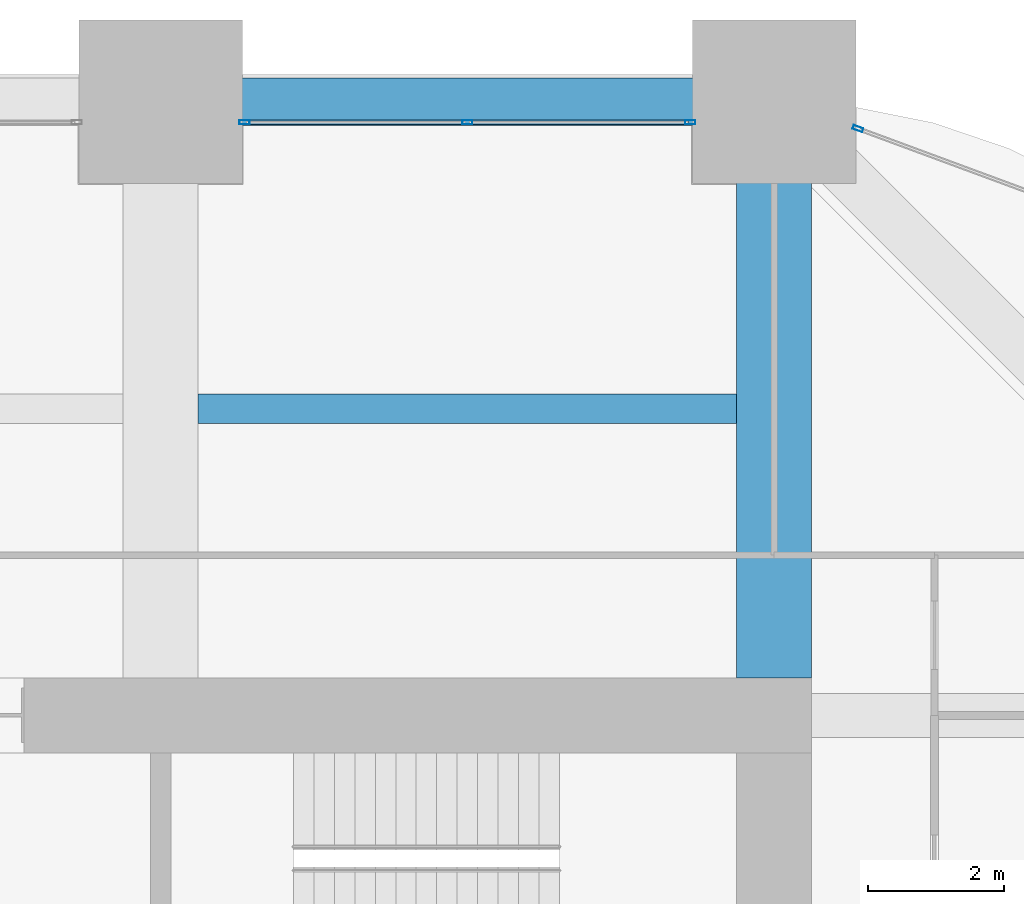
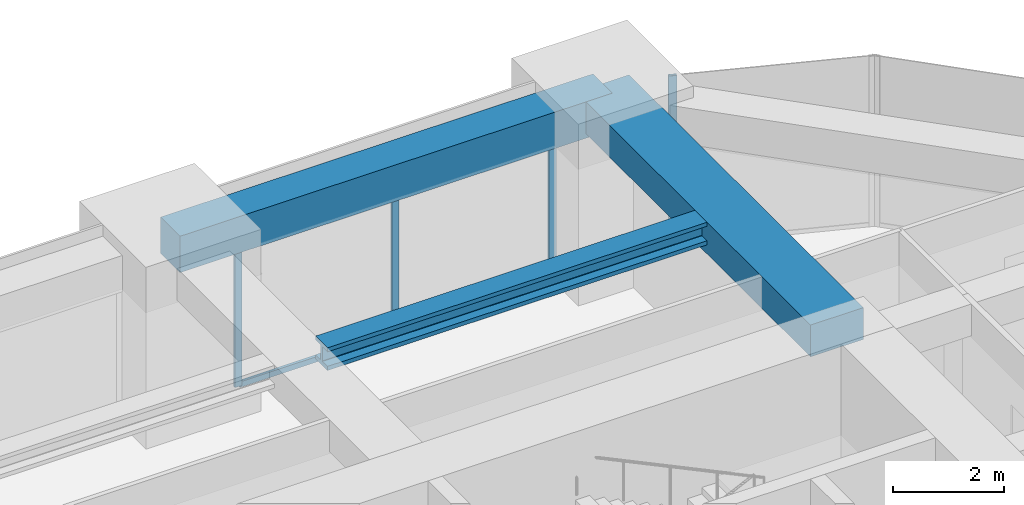
# One storey, part 26 of 33: 5 members, 3 beams, 2 elements without a shape of their own.
"""IFC4 building model written with IfcOpenShell, lengths in metres."""

from ifc_helpers import new_model, si_unit, direction, frame, origin, origin_2d, place, context, subcontext, project, spatial, rectangle, hollow_rectangle, i_section, extrude, material, material_profile, profile_set, type_object, element, aggregate, save


model = new_model("IFC4")

# Units and contexts
model_context = context("Model", 3, precision=1e-05, world=origin(), true_north=direction((0.0, 1.0)))
body_context = subcontext(model_context, "Body", "Model", "MODEL_VIEW")
ifc_project = project(units=[si_unit("LENGTHUNIT", "METRE"), si_unit("AREAUNIT", "SQUARE_METRE"), si_unit("VOLUMEUNIT", "CUBIC_METRE"), si_unit("PLANEANGLEUNIT", "RADIAN"), si_unit("MASSUNIT", "GRAM", prefix="KILO")], contexts=[model_context])

# Site, building, storey
site_placement = place(None, origin())
site = spatial("IfcSite", under=ifc_project, at=site_placement, CompositionType="ELEMENT")
building_placement = place(site_placement, origin())
building = spatial("IfcBuilding", under=site, at=building_placement, Name="Zorevar Civic Tower", CompositionType="ELEMENT")
storey_placement = place(building_placement, frame((0.0, 0.0, 178.199951171875)))
storey = spatial("IfcBuildingStorey", under=building, at=storey_placement, Name="L43", CompositionType="ELEMENT", Elevation=178.199951171875)

# Beam
ifc_material_1 = material(Name="Concrete C50/60", Category="concrete")
ifc_material_profile_1 = material_profile(ifc_material_1, rectangle(XDim=1.10009765625, YDim=0.699951171875, at=origin_2d()), Name="RC 1100x700")
ifc_profile_set_1 = profile_set([ifc_material_profile_1], Name="Concrete C50/60")
beam_type_1 = type_object("IfcBeamType", Name="Beam RC 1100x700", PredefinedType="BEAM", material=ifc_profile_set_1)
beam_1_placement = place(storey_placement, frame((45.0, 36.550048828125, 3.400146484375), z_axis=(0.0, 1.0, 0.0), x_axis=(-1.0, 0.0, 0.0)))
element("IfcBeam", 1, at=beam_1_placement, inside=storey, type_object=beam_type_1, Name="Girder L44", PredefinedType="BEAM", context=body_context, shape_type="SweptSolid", body=[
    extrude(rectangle(XDim=1.10009765625, YDim=0.699951171875, at=origin_2d()), origin(), (0.0, 0.0, 1.0), 8.449951171875),
])

# Curtain wall, members
ifc_material_2 = material(Name="Dark grey solar-control glass in black aluminium frame", Category="aluminium")
curtain_wall_type = type_object("IfcCurtainWallType", Name="Curtain wall CW4 high zone", PredefinedType="NOTDEFINED", material=ifc_material_2)
curtain_wall_1_placement = place(storey_placement, origin())
curtain_wall_1 = element("IfcCurtainWall", 2, at=curtain_wall_1_placement, inside=storey, type_object=curtain_wall_type, Name="CW4 L43", PredefinedType="NOTDEFINED")
ifc_material_3 = material(Name="Aluminium, black anodised", Category="aluminium")
ifc_material_profile_2 = material_profile(ifc_material_3, hollow_rectangle(XDim=0.06005859375, YDim=0.14990234375, WallThickness=0.00390625, at=origin_2d()), Name="AL 150x60x4")
ifc_profile_set_2 = profile_set([ifc_material_profile_2], Name="Aluminium, black anodised")
member_type_1 = type_object("IfcMemberType", Name="CW4 mullion AL 150x60x4", PredefinedType="MULLION", material=ifc_profile_set_2)
member_1_placement = place(storey_placement, frame((37.22998046875, 44.699951171875, 0.0), z_axis=(0.0, 0.0, 1.0), x_axis=(0.0, 1.0, 0.0)))
member_1 = element("IfcMember", 3, at=member_1_placement, type_object=member_type_1, Name="CW4 mullion 1", PredefinedType="MULLION", context=body_context, shape_type="SweptSolid", body=[
    extrude(hollow_rectangle(XDim=0.06005859375, YDim=0.14990234375, WallThickness=0.00390625, at=origin_2d()), origin(), (0.0, 0.0, 1.0), 2.949951171875),
])
member_2_placement = place(storey_placement, frame((40.5, 44.699951171875, 0.06005859375), z_axis=(0.0, 0.0, 1.0), x_axis=(0.0, 1.0, 0.0)))
member_2 = element("IfcMember", 4, at=member_2_placement, type_object=member_type_1, Name="CW4 mullion 2", PredefinedType="MULLION", context=body_context, shape_type="SweptSolid", body=[
    extrude(hollow_rectangle(XDim=0.06005859375, YDim=0.14990234375, WallThickness=0.00390625, at=origin_2d()), origin(), (0.0, 0.0, 1.0), 2.889892578125),
])
member_3_placement = place(storey_placement, frame((43.77001953125, 44.699951171875, 0.0), z_axis=(0.0, 0.0, 1.0), x_axis=(0.0, 1.0, 0.0)))
member_3 = element("IfcMember", 5, at=member_3_placement, type_object=member_type_1, Name="CW4 mullion 3", PredefinedType="MULLION", context=body_context, shape_type="SweptSolid", body=[
    extrude(hollow_rectangle(XDim=0.06005859375, YDim=0.14990234375, WallThickness=0.00390625, at=origin_2d()), origin(), (0.0, 0.0, 1.0), 2.949951171875),
])

# Curtain wall, member
curtain_wall_2_placement = place(storey_placement, origin())
curtain_wall_2 = element("IfcCurtainWall", 6, at=curtain_wall_2_placement, inside=storey, type_object=curtain_wall_type, Name="CW4 L43", PredefinedType="NOTDEFINED")
member_4_placement = place(storey_placement, frame((46.22802734375, 44.6064453125, 0.0), z_axis=(0.0, 0.0, 1.0), x_axis=(-0.346704012033, -0.937974588163, 0.0)))
member_4 = element("IfcMember", 7, at=member_4_placement, type_object=member_type_1, Name="CW4 mullion 2", PredefinedType="MULLION", context=body_context, shape_type="SweptSolid", body=[
    extrude(hollow_rectangle(XDim=0.06005859375, YDim=0.14990234375, WallThickness=0.00390625, at=origin_2d()), origin(), (0.0, 0.0, 1.0), 3.75),
])
aggregate(curtain_wall_2, [member_4])

# Member
ifc_material_4 = material(Name="Aluminium, black anodised", Category="aluminium")
ifc_material_profile_3 = material_profile(ifc_material_4, hollow_rectangle(XDim=0.06005859375, YDim=0.1201171875, WallThickness=0.0029296875, at=origin_2d()), Name="AL 120x60x3")
ifc_profile_set_3 = profile_set([ifc_material_profile_3], Name="Aluminium, black anodised")
member_type_2 = type_object("IfcMemberType", Name="CW4 transom AL 120x60x3", PredefinedType="USERDEFINED", material=ifc_profile_set_3)
member_5_placement = place(storey_placement, frame((37.260009765625, 44.699951171875, 0.030029296875), z_axis=(1.0, 0.0, 0.0), x_axis=(0.0, 1.0, 0.0)))
member_5 = element("IfcMember", 8, at=member_5_placement, type_object=member_type_2, Name="CW4 sill transom", ObjectType="TRANSOM", PredefinedType="USERDEFINED", context=body_context, shape_type="SweptSolid", body=[
    extrude(hollow_rectangle(XDim=0.06005859375, YDim=0.1201171875, WallThickness=0.0029296875, at=origin_2d()), origin(), (0.0, 0.0, 1.0), 6.47998046875),
])

aggregate(curtain_wall_1, [member_1, member_2, member_3, member_5])

# Beams
ifc_material_5 = material(Name="Steel S460M (HISTAR 460)", Category="steel")
ifc_material_profile_4 = material_profile(ifc_material_5, i_section(OverallWidth=0.431884765625, OverallDepth=0.498046875, WebThickness=0.0556640625, FlangeThickness=0.0888671875, FilletRadius=0.014892578125, at=origin_2d()), Name="HD 400x744")
ifc_profile_set_4 = profile_set([ifc_material_profile_4], Name="Steel S460M (HISTAR 460)")
beam_type_2 = type_object("IfcBeamType", Name="Core bay beam HD 400x744", PredefinedType="BEAM", material=ifc_profile_set_4)
beam_2_placement = place(storey_placement, frame((36.550048828125, 40.5, 3.5009765625), z_axis=(1.0, 0.0, 0.0), x_axis=(0.0, 1.0, 0.0)))
element("IfcBeam", 9, at=beam_2_placement, inside=storey, type_object=beam_type_2, Name="Secondary beam L44", PredefinedType="BEAM", context=body_context, shape_type="SweptSolid", body=[
    extrude(i_section(OverallWidth=0.431884765625, OverallDepth=0.498046875, WebThickness=0.0556640625, FlangeThickness=0.0888671875, FilletRadius=0.014892578125, at=origin_2d()), origin(), (0.0, 0.0, 1.0), 7.89990234375),
])
ifc_material_6 = material(Name="Concrete C50/60", Category="concrete")
ifc_material_profile_5 = material_profile(ifc_material_6, rectangle(XDim=0.699951171875, YDim=0.800048828125, at=origin_2d()), Name="RC 700x800")
ifc_profile_set_5 = profile_set([ifc_material_profile_5], Name="Concrete C50/60")
beam_type_3 = type_object("IfcBeamType", Name="Edge beam RC 700x800", PredefinedType="SPANDREL", material=ifc_profile_set_5)
beam_3_placement = place(storey_placement, frame((36.0, 45.0, 3.35009765625), z_axis=(1.0, 0.0, 0.0), x_axis=(0.0, 1.0, 0.0)))
element("IfcBeam", 10, at=beam_3_placement, inside=storey, type_object=beam_type_3, Name="Edge beam L44", PredefinedType="SPANDREL", context=body_context, shape_type="SweptSolid", body=[
    extrude(rectangle(XDim=0.699951171875, YDim=0.800048828125, at=origin_2d()), origin(), (0.0, 0.0, 1.0), 9.0),
])

save(model, "model.ifc")
